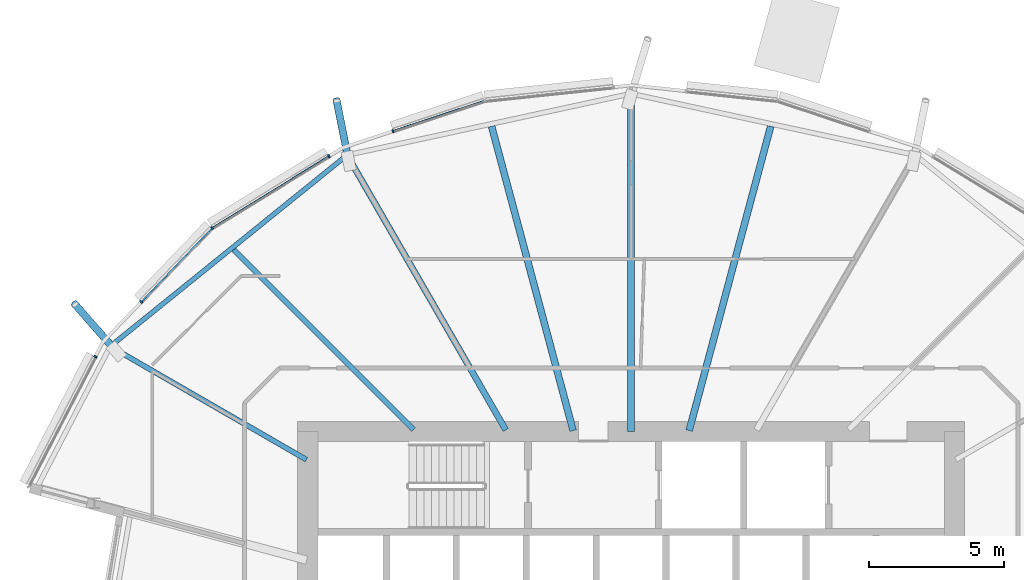
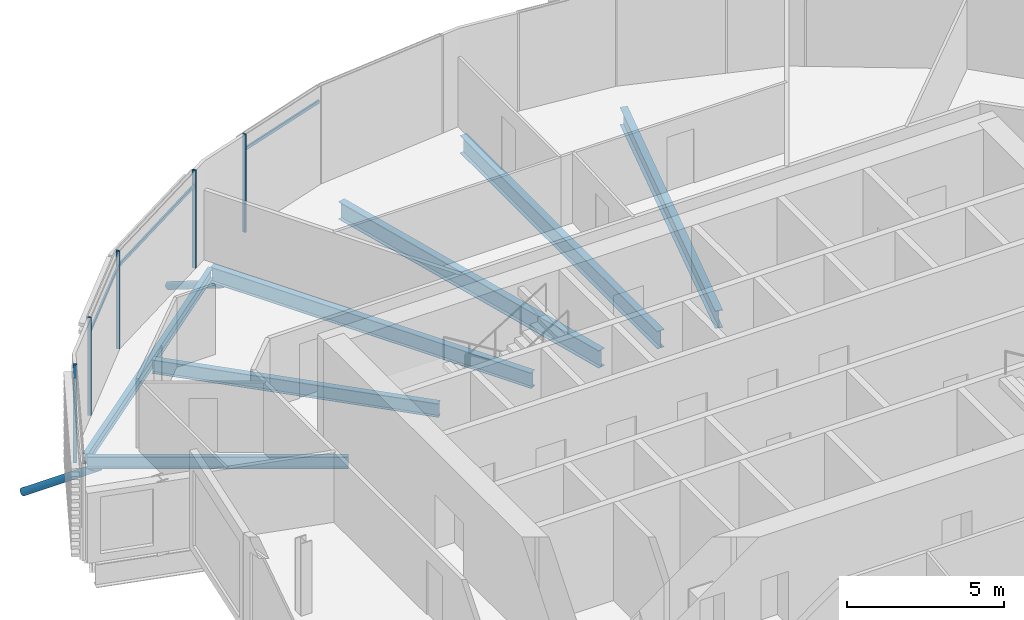
# One storey, part 9 of 38: 10 members, 7 beams, 1 element without a shape of its own.
"""IFC4 building model written with IfcOpenShell, lengths in metres."""

from ifc_helpers import new_model, si_unit, direction, frame, origin, origin_2d, place, context, subcontext, project, spatial, rectangle, hollow_circle, i_section, extrude, clip, halfspace, material, material_profile, profile_set, type_object, element, aggregate, save


model = new_model("IFC4")

# Units and contexts
model_context = context("Model", 3, precision=1e-05, world=origin(), true_north=direction((0.0, 1.0)))
body_context = subcontext(model_context, "Body", "Model", "MODEL_VIEW")
ifc_project = project(units=[si_unit("LENGTHUNIT", "METRE"), si_unit("AREAUNIT", "SQUARE_METRE"), si_unit("VOLUMEUNIT", "CUBIC_METRE"), si_unit("PLANEANGLEUNIT", "RADIAN"), si_unit("MASSUNIT", "GRAM", prefix="KILO")], contexts=[model_context])

# Site, building, storey
site_placement = place(None, origin())
site = spatial("IfcSite", under=ifc_project, at=site_placement, CompositionType="ELEMENT")
building_placement = place(site_placement, origin())
building = spatial("IfcBuilding", under=site, at=building_placement, Name="Rimbun Link Towers", CompositionType="ELEMENT")
storey_placement = place(building_placement, frame((0.0, 0.0, 108.199951171875)))
storey = spatial("IfcBuildingStorey", under=building, at=storey_placement, Name="L26", CompositionType="ELEMENT", Elevation=108.199951171875)

# Curtain wall, members
ifc_material_1 = material(Name="Aluminium 6063-T6 and low-iron glass", Category="aluminium")
curtain_wall_type = type_object("IfcCurtainWallType", Name="CW1-Z2 unitised vision wall (zone 2)", PredefinedType="NOTDEFINED", material=ifc_material_1)
curtain_wall_placement = place(storey_placement, origin())
curtain_wall = element("IfcCurtainWall", 1, at=curtain_wall_placement, inside=storey, type_object=curtain_wall_type, Name="CW1 L26 T1", PredefinedType="NOTDEFINED")
ifc_material_2 = material(Name="Aluminium 6063-T6", Category="aluminium")
ifc_material_profile_1 = material_profile(ifc_material_2, rectangle(XDim=0.1201171875, YDim=0.06005859375, at=origin_2d()), Name="MULLION 60X120")
ifc_profile_set_1 = profile_set([ifc_material_profile_1], Name="Aluminium 6063-T6")
member_type_1 = type_object("IfcMemberType", Name="CW1 mullion 60X120", PredefinedType="MULLION", material=ifc_profile_set_1)
member_1_placement = place(storey_placement, frame((-40.5859375, 19.14794921875, 0.0), z_axis=(0.0, 0.0, 1.0), x_axis=(-0.314562268358, 0.949236840481, 0.0)))
member_1 = element("IfcMember", 2, at=member_1_placement, type_object=member_type_1, Name="CW1 mullion", PredefinedType="MULLION", context=body_context, shape_type="SweptSolid", body=[
    extrude(rectangle(XDim=0.1201171875, YDim=0.06005859375, at=origin_2d()), origin(), (0.0, 0.0, 1.0), 3.800048828125),
])
member_2_placement = place(storey_placement, frame((-47.294189453125, 15.55322265625, 0.0), z_axis=(0.0, 0.0, 1.0), x_axis=(-0.627670379428, 0.77847921924, 0.0)))
member_2 = element("IfcMember", 3, at=member_2_placement, type_object=member_type_1, Name="CW1 mullion", PredefinedType="MULLION", context=body_context, shape_type="SweptSolid", body=[
    extrude(rectangle(XDim=0.1201171875, YDim=0.06005859375, at=origin_2d()), origin(), (0.0, 0.0, 1.0), 3.800048828125),
])
member_3_placement = place(storey_placement, frame((-42.960693359375, 18.214599609375, 0.0), z_axis=(0.0, 0.0, 1.0), x_axis=(-0.523241267863, 0.852184590101, 0.0)))
member_3 = element("IfcMember", 4, at=member_3_placement, type_object=member_type_1, Name="CW1 mullion", PredefinedType="MULLION", context=body_context, shape_type="SweptSolid", body=[
    extrude(rectangle(XDim=0.1201171875, YDim=0.06005859375, at=origin_2d()), origin(), (0.0, 0.0, 1.0), 3.800048828125),
])
member_4_placement = place(storey_placement, frame((-49.92578125, 12.809326171875, 0.0), z_axis=(0.0, 0.0, 1.0), x_axis=(-0.721844661886, 0.692055116379, 0.0)))
member_4 = element("IfcMember", 5, at=member_4_placement, type_object=member_type_1, Name="CW1 mullion", PredefinedType="MULLION", context=body_context, shape_type="SweptSolid", body=[
    extrude(rectangle(XDim=0.1201171875, YDim=0.06005859375, at=origin_2d()), origin(), (0.0, 0.0, 1.0), 3.800048828125),
])
member_5_placement = place(storey_placement, frame((-51.630126953125, 10.782470703125, 0.0), z_axis=(0.0, 0.0, 1.0), x_axis=(-0.888149178193, 0.459555260307, 0.0)))
member_5 = element("IfcMember", 6, at=member_5_placement, type_object=member_type_1, Name="CW1 mullion", PredefinedType="MULLION", context=body_context, shape_type="SweptSolid", body=[
    extrude(rectangle(XDim=0.1201171875, YDim=0.06005859375, at=origin_2d()), origin(), (0.0, 0.0, 1.0), 3.800048828125),
])
ifc_material_3 = material(Name="Aluminium 6063-T6", Category="aluminium")
ifc_material_profile_2 = material_profile(ifc_material_3, rectangle(XDim=0.06005859375, YDim=0.1201171875, at=origin_2d()), Name="TRANSOM 60X120")
ifc_profile_set_2 = profile_set([ifc_material_profile_2], Name="Aluminium 6063-T6")
member_type_2 = type_object("IfcMemberType", Name="CW1 transom 60X120", PredefinedType="USERDEFINED", material=ifc_profile_set_2)
member_6_placement = place(storey_placement, frame((-40.556640625, 19.1552734375, 3.199951171875), z_axis=(0.949215797743, 0.31462576073, 0.0), x_axis=(-0.31462576073, 0.949215797743, 0.0)))
member_6 = element("IfcMember", 7, at=member_6_placement, type_object=member_type_2, Name="CW1 transom", ObjectType="TRANSOM", PredefinedType="USERDEFINED", context=body_context, shape_type="SweptSolid", body=[
    extrude(rectangle(XDim=0.06005859375, YDim=0.1201171875, at=origin_2d()), origin(), (0.0, 0.0, 1.0), 3.521240234375),
])
member_7_placement = place(storey_placement, frame((-47.261474609375, 15.57177734375, 3.199951171875), z_axis=(0.852202434202, 0.523212204693, 0.0), x_axis=(-0.523212204693, 0.852202434202, 0.0)))
member_7 = element("IfcMember", 8, at=member_7_placement, type_object=member_type_2, Name="CW1 transom", ObjectType="TRANSOM", PredefinedType="USERDEFINED", context=body_context, shape_type="SweptSolid", body=[
    extrude(rectangle(XDim=0.06005859375, YDim=0.1201171875, at=origin_2d()), origin(), (0.0, 0.0, 1.0), 5.01806640625),
])
member_8_placement = place(storey_placement, frame((-49.903564453125, 12.82958984375, 3.199951171875), z_axis=(0.692043091562, 0.721856190263, 0.0), x_axis=(-0.721856190263, 0.692043091562, 0.0)))
member_8 = element("IfcMember", 9, at=member_8_placement, type_object=member_type_2, Name="CW1 transom", ObjectType="TRANSOM", PredefinedType="USERDEFINED", context=body_context, shape_type="SweptSolid", body=[
    extrude(rectangle(XDim=0.06005859375, YDim=0.1201171875, at=origin_2d()), origin(), (0.0, 0.0, 1.0), 3.734130859375),
])
aggregate(curtain_wall, [member_1, member_2, member_3, member_4, member_5, member_6, member_7, member_8])

# Members
ifc_material_4 = material(Name="Steel S355J2H", Category="steel")
ifc_material_profile_3 = material_profile(ifc_material_4, hollow_circle(Radius=0.136474609375, WallThickness=0.012451171875, at=origin_2d()), Name="CHS 273x12.5")
ifc_profile_set_3 = profile_set([ifc_material_profile_3], Name="Steel S355J2H")
member_type_3 = type_object("IfcMemberType", Name="Floor edge link CHS 273x12.5", PredefinedType="BRACE", material=ifc_profile_set_3)
member_9_placement = place(storey_placement, frame((-42.265380859375, 18.213134765625, -0.881591796875), z_axis=(-0.171173339348, 0.858754437776, -0.482949793972), x_axis=(-0.980707310336, -0.195481895462, 0.0)))
element("IfcMember", 10, at=member_9_placement, inside=storey, type_object=member_type_3, Name="Floor edge link T1 L26 08", PredefinedType="BRACE", context=body_context, shape_type="Clipping", body=[
    clip(extrude(hollow_circle(Radius=0.136474609375, WallThickness=0.012451171875, at=origin_2d()), frame((0.0, 0.0, -0.515625)), (0.0, 0.0, 1.0), 2.967529296875), halfspace(frame((0.0, 0.0, -0.242431640625), z_axis=(0.0, 0.875648043738, -0.482949793972)), False)),
])
member_10_placement = place(storey_placement, frame((-50.95703125, 11.089111328125, -0.729736328125), z_axis=(-0.563423721636, 0.642646340681, -0.519191092669), x_axis=(-0.751933759804, -0.659238667606, 0.0)))
element("IfcMember", 11, at=member_10_placement, inside=storey, type_object=member_type_3, Name="Floor edge link T1 L26 10", PredefinedType="BRACE", context=body_context, shape_type="Clipping", body=[
    clip(extrude(hollow_circle(Radius=0.136474609375, WallThickness=0.012451171875, at=origin_2d()), frame((0.0, 0.0, -0.468505859375)), (0.0, 0.0, 1.0), 3.05712890625), halfspace(frame((0.0, 0.0, -0.22021484375), z_axis=(0.0, 0.854658182722, -0.519191092669)), False)),
])

# Beams
ifc_material_5 = material(Name="Steel S355J2", Category="steel")
ifc_material_profile_4 = material_profile(ifc_material_5, i_section(OverallWidth=0.177978515625, OverallDepth=0.406494140625, WebThickness=0.0078125, FlangeThickness=0.0126953125, at=origin_2d()), Name="UB 406x178x60")
ifc_profile_set_4 = profile_set([ifc_material_profile_4], Name="Steel S355J2")
beam_type_1 = type_object("IfcBeamType", Name="UB 406x178x60", PredefinedType="BEAM", material=ifc_profile_set_4)
beam_1_placement = place(storey_placement, frame((-42.380859375, 18.183349609375, -0.363037109375), z_axis=(-0.777963970016, -0.628308890083, 0.0), x_axis=(0.628308890083, -0.777963970016, 0.0)))
element("IfcBeam", 12, at=beam_1_placement, inside=storey, type_object=beam_type_1, Name="Edge beam T1 L26 08-10", PredefinedType="BEAM", context=body_context, shape_type="SweptSolid", body=[
    extrude(i_section(OverallWidth=0.177978515625, OverallDepth=0.406494140625, WebThickness=0.0078125, FlangeThickness=0.0126953125, at=origin_2d()), origin(), (0.0, 0.0, 1.0), 11.076904296875),
])
ifc_material_6 = material(Name="Steel S355J2", Category="steel")
ifc_material_profile_5 = material_profile(ifc_material_6, i_section(OverallWidth=0.18994140625, OverallDepth=0.453369140625, WebThickness=0.008544921875, FlangeThickness=0.0126953125, at=origin_2d()), Name="UB 457x191x67")
ifc_profile_set_5 = profile_set([ifc_material_profile_5], Name="Steel S355J2")
beam_type_2 = type_object("IfcBeamType", Name="UB 457x191x67", PredefinedType="BEAM", material=ifc_profile_set_5)
beam_2_placement = place(storey_placement, frame((-43.79833984375, 6.9560546875, -0.38671875), z_axis=(-0.866015940583, 0.500016390387, 0.0), x_axis=(-0.500016390387, -0.866015940583, 0.0)))
element("IfcBeam", 13, at=beam_2_placement, inside=storey, type_object=beam_type_2, Name="Radial beam T1 L26 10", PredefinedType="BEAM", context=body_context, shape_type="SweptSolid", body=[
    extrude(i_section(OverallWidth=0.18994140625, OverallDepth=0.453369140625, WebThickness=0.008544921875, FlangeThickness=0.0126953125, at=origin_2d()), origin(), (0.0, 0.0, 1.0), 8.316162109375),
])
ifc_material_7 = material(Name="Steel S355J2", Category="steel")
ifc_material_profile_6 = material_profile(ifc_material_7, i_section(OverallWidth=0.209228515625, OverallDepth=0.533203125, WebThickness=0.010009765625, FlangeThickness=0.015625, at=origin_2d()), Name="UB 533x210x92")
ifc_profile_set_6 = profile_set([ifc_material_profile_6], Name="Steel S355J2")
beam_type_3 = type_object("IfcBeamType", Name="UB 533x210x92", PredefinedType="BEAM", material=ifc_profile_set_6)
beam_3_placement = place(storey_placement, frame((-39.82470703125, 8.07470703125, -0.426513671875), z_axis=(-0.707106781187, 0.707106781187, 0.0), x_axis=(-0.707106781187, -0.707106781187, 0.0)))
element("IfcBeam", 14, at=beam_3_placement, inside=storey, type_object=beam_type_3, Name="Radial beam T1 L26 09", PredefinedType="BEAM", context=body_context, shape_type="SweptSolid", body=[
    extrude(i_section(OverallWidth=0.209228515625, OverallDepth=0.533203125, WebThickness=0.010009765625, FlangeThickness=0.015625, at=origin_2d()), origin(), (0.0, 0.0, 1.0), 9.433349609375),
])
ifc_material_8 = material(Name="Steel S355J2", Category="steel")
ifc_material_profile_7 = material_profile(ifc_material_8, i_section(OverallWidth=0.2275390625, OverallDepth=0.6025390625, WebThickness=0.010498046875, FlangeThickness=0.014892578125, at=origin_2d()), Name="UB 610x229x101")
ifc_profile_set_7 = profile_set([ifc_material_profile_7], Name="Steel S355J2")
beam_type_4 = type_object("IfcBeamType", Name="UB 610x229x101", PredefinedType="BEAM", material=ifc_profile_set_7)
beam_4_placement = place(storey_placement, frame((-36.402099609375, 8.057861328125, -0.461181640625), z_axis=(-0.500005398586, 0.866022286887, 0.0), x_axis=(-0.866022286887, -0.500005398586, 0.0)))
element("IfcBeam", 15, at=beam_4_placement, inside=storey, type_object=beam_type_4, Name="Radial beam T1 L26 08", PredefinedType="BEAM", context=body_context, shape_type="SweptSolid", body=[
    extrude(i_section(OverallWidth=0.2275390625, OverallDepth=0.6025390625, WebThickness=0.010498046875, FlangeThickness=0.014892578125, at=origin_2d()), origin(), (0.0, 0.0, 1.0), 11.776123046875),
])
ifc_material_9 = material(Name="Steel S355J2", Category="steel")
ifc_material_profile_8 = material_profile(ifc_material_9, i_section(OverallWidth=0.253662109375, OverallDepth=0.68359375, WebThickness=0.012451171875, FlangeThickness=0.01904296875, at=origin_2d()), Name="UB 686x254x140")
ifc_profile_set_8 = profile_set([ifc_material_profile_8], Name="Steel S355J2")
beam_type_5 = type_object("IfcBeamType", Name="UB 686x254x140", PredefinedType="BEAM", material=ifc_profile_set_8)
beam_5_placement = place(storey_placement, frame((-29.597412109375, 8.03369140625, -0.501708984375), z_axis=(0.258822040224, 0.965925023744, 0.0), x_axis=(-0.965925023744, 0.258822040224, 0.0)))
element("IfcBeam", 16, at=beam_5_placement, inside=storey, type_object=beam_type_5, Name="Radial beam T1 L26 05", PredefinedType="BEAM", context=body_context, shape_type="SweptSolid", body=[
    extrude(i_section(OverallWidth=0.253662109375, OverallDepth=0.68359375, WebThickness=0.012451171875, FlangeThickness=0.01904296875, at=origin_2d()), origin(), (0.0, 0.0, 1.0), 11.68896484375),
])
beam_6_placement = place(storey_placement, frame((-31.75, 8.0009765625, -0.501708984375), z_axis=(0.0, 1.0, 0.0), x_axis=(-1.0, 0.0, 0.0)))
element("IfcBeam", 17, at=beam_6_placement, inside=storey, type_object=beam_type_5, Name="Radial beam T1 L26 06", PredefinedType="BEAM", context=body_context, shape_type="SweptSolid", body=[
    extrude(i_section(OverallWidth=0.253662109375, OverallDepth=0.68359375, WebThickness=0.012451171875, FlangeThickness=0.01904296875, at=origin_2d()), origin(), (0.0, 0.0, 1.0), 12.53564453125),
])
beam_7_placement = place(storey_placement, frame((-33.902587890625, 8.03369140625, -0.501708984375), z_axis=(-0.258822040224, 0.965925023744, 0.0), x_axis=(-0.965925023744, -0.258822040224, 0.0)))
element("IfcBeam", 18, at=beam_7_placement, inside=storey, type_object=beam_type_5, Name="Radial beam T1 L26 07", PredefinedType="BEAM", context=body_context, shape_type="SweptSolid", body=[
    extrude(i_section(OverallWidth=0.253662109375, OverallDepth=0.68359375, WebThickness=0.012451171875, FlangeThickness=0.01904296875, at=origin_2d()), origin(), (0.0, 0.0, 1.0), 11.68896484375),
])

save(model, "model.ifc")
